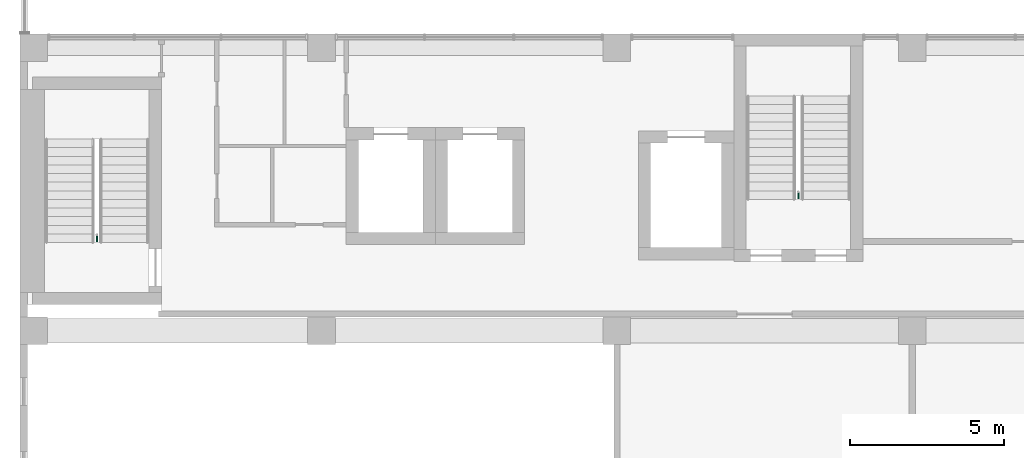
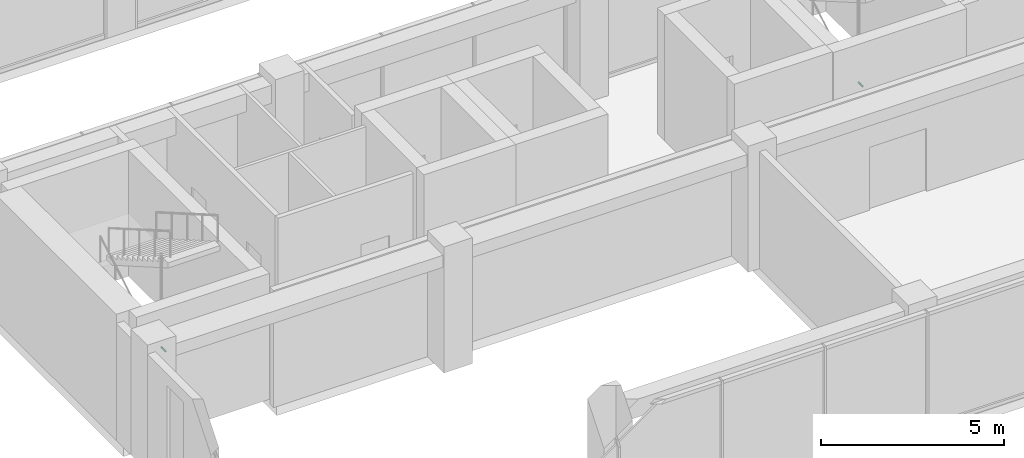
# One storey, part 36 of 37: 2 pipe fittings.
"""IFC4 building model written with IfcOpenShell, lengths in metres."""

from ifc_helpers import new_model, si_unit, direction, frame, origin, origin_2d, place, context, subcontext, project, spatial, circle, extrude, element, save


model = new_model("IFC4")

# Units and contexts
model_context = context("Model", 3, precision=1e-05, world=origin(), true_north=direction((0.0, 1.0)))
body_context = subcontext(model_context, "Body", "Model", "MODEL_VIEW")
ifc_project = project(units=[si_unit("LENGTHUNIT", "METRE"), si_unit("AREAUNIT", "SQUARE_METRE"), si_unit("VOLUMEUNIT", "CUBIC_METRE"), si_unit("PLANEANGLEUNIT", "RADIAN"), si_unit("MASSUNIT", "GRAM", prefix="KILO")], contexts=[model_context])

# Site, building, storey
site_placement = place(None, origin())
site = spatial("IfcSite", under=ifc_project, at=site_placement, CompositionType="ELEMENT")
building_placement = place(site_placement, origin())
building = spatial("IfcBuilding", under=site, at=building_placement, Name="Nzadi Deep Aquarium and Research Tower", CompositionType="ELEMENT")
storey_placement = place(building_placement, frame((0.0, 0.0, 61.300048828125)))
storey = spatial("IfcBuildingStorey", under=building, at=storey_placement, Name="L12", CompositionType="ELEMENT", Elevation=61.300048828125)

# Pipe fittings
for number, where, z_axis, x_axis, name in (
    (1, (2.300048828125, 12.320068359375, 1.099853515625), (0.0, -1.0, 0.0), (1.0, 0.0, 0.0), "Dry riser outlet ST-Z1-SW L12"),
    (2, (25.10009765625, 13.719970703125, 1.099853515625), (0.0, -1.0, 0.0), (1.0, 0.0, 0.0), "Dry riser outlet ST-Z1-SE L12"),
):
    element("IfcPipeFitting", number, at=place(storey_placement, frame(where, z_axis=z_axis, x_axis=x_axis)), inside=storey, Name=name, PredefinedType="EXIT", context=body_context, shape_type="SweptSolid", body=[
        extrude(circle(Radius=0.0224609375, at=origin_2d()), origin(), (0.0, 0.0, 1.0), 0.22998046875),
    ])

save(model, "model.ifc")
